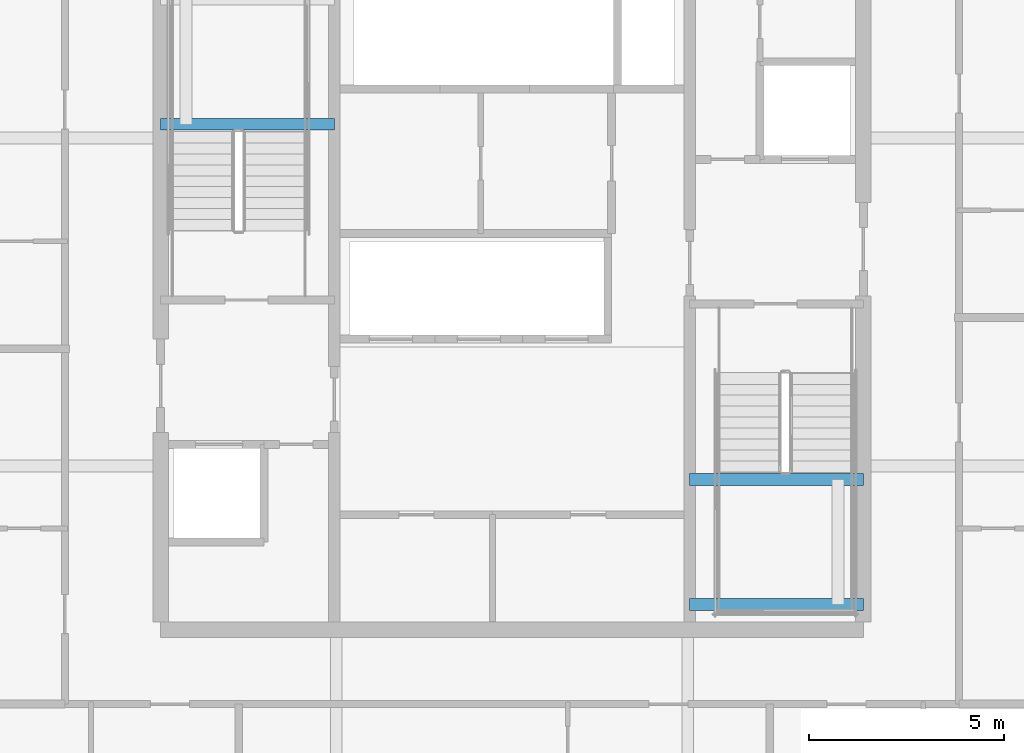
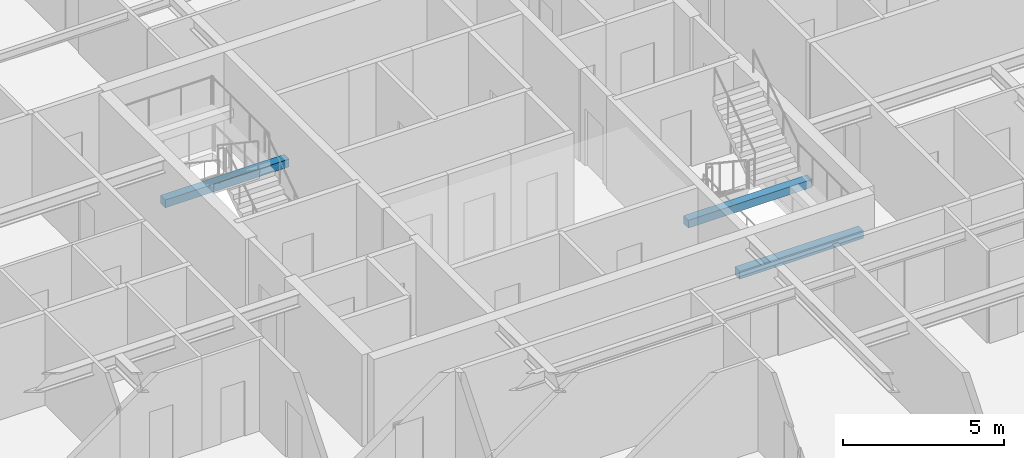
# One storey, part 10 of 36: 3 beams.
"""IFC4 building model written with IfcOpenShell, lengths in metres."""

import ifcopenshell
import ifcopenshell.guid

model = None  # the IFC model being written
_history = None  # IfcOwnerHistory: only IFC2X3 demands one
_inside = {}  # id of a spatial element -> (the spatial element, [elements in it])
_under = {}  # id of a project, library or spatial element -> (it, [spatial elements below it])
_declared = {}  # id of a project -> (the project, [libraries it declares])
_typed = {}  # id of a type object -> (the type object, [elements of that type])
_made_of = {}  # id of a material, layer set ... -> (it, [elements and type objects made of it])


def new_model(schema):
    """Start an empty IFC model of exactly this schema.

    Asked for "IFC4X3", IfcOpenShell would pick the latest addendum, in which some entities
    have other attributes; the version numbers below select the first issue.
    IFC2X3 requires an IfcOwnerHistory on every rooted entity: one is made here for all.
    """
    global model, _history
    if schema == "IFC4X3":
        model = ifcopenshell.file(schema_version=(4, 3, 0, 0))
    else:
        model = ifcopenshell.file(schema=schema)
    _inside.clear()
    _under.clear()
    _declared.clear()
    _typed.clear()
    _made_of.clear()
    _history = None
    if model.schema == "IFC2X3":
        org = make("IfcOrganization", Name="unknown")
        user = make(
            "IfcPersonAndOrganization",
            ThePerson=make("IfcPerson", FamilyName="unknown"),
            TheOrganization=org,
        )
        app = make(
            "IfcApplication",
            ApplicationDeveloper=org,
            Version="unknown",
            ApplicationFullName="unknown",
            ApplicationIdentifier="unknown",
        )
        _history = make(
            "IfcOwnerHistory",
            OwningUser=user,
            OwningApplication=app,
            ChangeAction="ADDED",
            CreationDate=0,
        )
    return model


def make(cls, **values):
    """One entity of the class cls with the attributes given. An attribute that is None is left unset."""
    return model.create_entity(
        cls, **{name: value for name, value in values.items() if value is not None}
    )


def rooted(cls, **values):
    """An entity with a GlobalId (a new one), such as an element, a storey or a relation."""
    return make(cls, GlobalId=ifcopenshell.guid.new(), OwnerHistory=_history, **values)


def si_unit(unit_type, name, prefix=None):
    """IfcSIUnit, for example si_unit("LENGTHUNIT", "METRE", prefix="MILLI")."""
    return make("IfcSIUnit", UnitType=unit_type, Prefix=prefix, Name=name)


def assignment(units):
    """IfcUnitAssignment: the units of a project."""
    return None if units is None else make("IfcUnitAssignment", Units=units)


def point(xyz):
    """IfcCartesianPoint."""
    return None if xyz is None else make("IfcCartesianPoint", Coordinates=xyz)


def direction(xyz):
    """IfcDirection."""
    return None if xyz is None else make("IfcDirection", DirectionRatios=xyz)


def frame(location, z_axis=None, x_axis=None):
    """IfcAxis2Placement3D, a coordinate frame: its origin and axes. An axis left out is left unset."""
    return make(
        "IfcAxis2Placement3D",
        Location=point(location),
        Axis=direction(z_axis),
        RefDirection=direction(x_axis),
    )


def frame_2d(location, x_axis=None):
    """IfcAxis2Placement2D, a coordinate frame in the plane: its origin and x axis."""
    return make(
        "IfcAxis2Placement2D", Location=point(location), RefDirection=direction(x_axis)
    )


def origin():
    """The frame at (0, 0, 0) with its axes left unset."""
    return frame((0.0, 0.0, 0.0))


def origin_2d():
    """The frame at (0, 0) in the plane with its x axis left unset."""
    return frame_2d((0.0, 0.0))


def place(relative_to, where):
    """IfcLocalPlacement: puts the frame where relative to a parent placement (None: the world)."""
    return make(
        "IfcLocalPlacement", PlacementRelTo=relative_to, RelativePlacement=where
    )


def context(
    kind, dimensions, precision=None, world=None, true_north=None, identifier=None
):
    """IfcGeometricRepresentationContext, for example the 3D "Model" context."""
    return make(
        "IfcGeometricRepresentationContext",
        ContextIdentifier=identifier,
        ContextType=kind,
        CoordinateSpaceDimension=dimensions,
        Precision=precision,
        WorldCoordinateSystem=world,
        TrueNorth=true_north,
    )


def subcontext(parent, identifier, kind, view, scale=None):
    """IfcGeometricRepresentationSubContext, for example "Body" below "Model"."""
    return make(
        "IfcGeometricRepresentationSubContext",
        ContextIdentifier=identifier,
        ContextType=kind,
        ParentContext=parent,
        TargetScale=scale,
        TargetView=view,
    )


def project(units=None, contexts=None):
    """IfcProject with its units and contexts."""
    return rooted(
        "IfcProject",
        Name="project",
        RepresentationContexts=contexts,
        UnitsInContext=assignment(units),
    )


def spatial(cls, under=None, at=None, **own):
    """A site, building, storey or space (cls), placed at a placement, below another one or the project."""
    s = rooted(cls, ObjectPlacement=at, **own)
    if under is not None:
        _under.setdefault(under.id(), (under, []))[1].append(s)
    return s


def profile(cls, at=None, kind="AREA", **sizes):
    """A parametric profile (cls). Its sizes go by their IFC names, for example OverallWidth=200.0."""
    return make(cls, ProfileType=kind, Position=at, **sizes)


def rectangle(**sizes):
    """IfcRectangleProfileDef."""
    return profile("IfcRectangleProfileDef", **sizes)


def extrude(swept, where, along, depth):
    """IfcExtrudedAreaSolid: the profile swept, set in the frame where, extruded along a direction by depth."""
    return make(
        "IfcExtrudedAreaSolid",
        SweptArea=swept,
        Position=where,
        ExtrudedDirection=direction(along),
        Depth=depth,
    )


def shape(context_of_items, identifier, shape_type, items):
    """IfcShapeRepresentation: the items that make up one representation, for example the "Body"."""
    return make(
        "IfcShapeRepresentation",
        ContextOfItems=context_of_items,
        RepresentationIdentifier=identifier,
        RepresentationType=shape_type,
        Items=items,
    )


def source(mapping_origin, context_of_items, identifier, shape_type, items):
    """IfcRepresentationMap: a shape defined once, which mapped items show again and again."""
    return make(
        "IfcRepresentationMap",
        MappingOrigin=mapping_origin,
        MappedRepresentation=shape(context_of_items, identifier, shape_type, items),
    )


def transform(
    local_origin,
    x_axis=None,
    y_axis=None,
    z_axis=None,
    scale=None,
    scale2=None,
    scale3=None,
    uniform=True,
):
    """IfcCartesianTransformationOperator3D, or its non-uniform kind. x_axis, y_axis, z_axis: its Axis1, 2, 3."""
    if uniform:
        return make(
            "IfcCartesianTransformationOperator3D",
            Axis1=direction(x_axis),
            Axis2=direction(y_axis),
            LocalOrigin=point(local_origin),
            Scale=scale,
            Axis3=direction(z_axis),
        )
    return make(
        "IfcCartesianTransformationOperator3DnonUniform",
        Axis1=direction(x_axis),
        Axis2=direction(y_axis),
        LocalOrigin=point(local_origin),
        Scale=scale,
        Axis3=direction(z_axis),
        Scale2=scale2,
        Scale3=scale3,
    )


def mapped(mapping_source, mapping_target):
    """IfcMappedItem: shows the shape of a source again, moved by a transform."""
    return make(
        "IfcMappedItem", MappingSource=mapping_source, MappingTarget=mapping_target
    )


def material(Name=None, Category=None):
    """IfcMaterial."""
    return make("IfcMaterial", Name=Name, Category=Category)


def material_profile(
    of_material, cross_section, Name=None, Category=None, Priority=None
):
    """IfcMaterialProfile: a cross section and its material."""
    return make(
        "IfcMaterialProfile",
        Name=Name,
        Material=of_material,
        Profile=cross_section,
        Priority=Priority,
        Category=Category,
    )


def profile_set(profiles, Name=None, composite=None):
    """IfcMaterialProfileSet."""
    return make(
        "IfcMaterialProfileSet",
        Name=Name,
        MaterialProfiles=profiles,
        CompositeProfile=composite,
    )


def made_of(thing, what):
    """Note that an element or type object is made of a material, layer set ...; save() writes the relation."""
    if what is not None:
        _made_of.setdefault(what.id(), (what, []))[1].append(thing)
    return thing


def type_object(cls, material=None, **own):
    """A type object (cls), such as IfcWallType, which elements share."""
    return made_of(rooted(cls, **own), material)


def element(
    cls,
    number,
    at=None,
    inside=None,
    cuts=None,
    type_object=None,
    material=None,
    context=None,
    identifier="Body",
    shape_type=None,
    held_by="IfcProductDefinitionShape",
    body=None,
    shapes=None,
    **own,
):
    """One element of the class cls, such as IfcWall. Its Tag is "e" and its number.

    at: its placement. inside: the storey or other place that contains it. cuts: it is an
    opening in that element (IfcRelVoidsElement). A single representation is given by context,
    identifier, shape_type and body (its items); several are given by shapes. held_by: the class
    of the entity that holds the representations. save() writes the other relations.
    """
    e = rooted(cls, Tag="e%d" % number, ObjectPlacement=at, **own)
    if body is not None:
        shapes = [shape(context, identifier, shape_type, body)]
    if shapes is not None:
        e.Representation = make(held_by, Representations=shapes)
    if inside is not None:
        _inside.setdefault(inside.id(), (inside, []))[1].append(e)
    if cuts is not None:
        rooted(
            "IfcRelVoidsElement", RelatingBuildingElement=cuts, RelatedOpeningElement=e
        )
    if type_object is not None:
        _typed.setdefault(type_object.id(), (type_object, []))[1].append(e)
    return made_of(e, material)


def aggregate(whole, parts):
    """IfcRelAggregates: a whole, such as a stair, and the parts it consists of."""
    return rooted("IfcRelAggregates", RelatingObject=whole, RelatedObjects=parts)


def save(model, path):
    """Write the relations noted so far, then the file.

    IfcRelAggregates (storeys below a building ...), IfcRelContainedInSpatialStructure (elements
    in a storey), IfcRelDefinesByType, IfcRelAssociatesMaterial and IfcRelDeclares: one each for
    every whole, place, type object, material and project.
    """
    for whole, parts in _under.values():
        aggregate(whole, parts)
    for where, things in _inside.values():
        rooted(
            "IfcRelContainedInSpatialStructure",
            RelatedElements=things,
            RelatingStructure=where,
        )
    for kind, things in _typed.values():
        rooted("IfcRelDefinesByType", RelatedObjects=things, RelatingType=kind)
    for what, things in _made_of.values():
        rooted("IfcRelAssociatesMaterial", RelatedObjects=things, RelatingMaterial=what)
    for by, libraries in _declared.values():
        rooted("IfcRelDeclares", RelatingContext=by, RelatedDefinitions=libraries)
    model.write(path)


model = new_model("IFC4")

# Units and contexts
model_context = context("Model", 3, precision=1e-05, world=origin(), true_north=direction((0.0, 1.0)))
body_context = subcontext(model_context, "Body", "Model", "MODEL_VIEW")
ifc_project = project(units=[si_unit("LENGTHUNIT", "METRE"), si_unit("AREAUNIT", "SQUARE_METRE"), si_unit("VOLUMEUNIT", "CUBIC_METRE"), si_unit("PLANEANGLEUNIT", "RADIAN"), si_unit("MASSUNIT", "GRAM", prefix="KILO")], contexts=[model_context])

# Site, building, storey
site_placement = place(None, origin())
site = spatial("IfcSite", under=ifc_project, at=site_placement, CompositionType="ELEMENT")
building_placement = place(site_placement, origin())
building = spatial("IfcBuilding", under=site, at=building_placement, Name="Serunith Strait Residences", CompositionType="ELEMENT")
storey_placement = place(building_placement, frame((0.0, 0.0, 131.39990234375)))
storey = spatial("IfcBuildingStorey", under=building, at=storey_placement, Name="L32", CompositionType="ELEMENT", Elevation=131.39990234375)

# Beams
ifc_material = material(Name="Concrete C60/75", Category="concrete")
ifc_material_profile = material_profile(ifc_material, rectangle(XDim=0.300048828125, YDim=0.300048828125, at=origin_2d()), Name="RC 300x300")
ifc_profile_set = profile_set([ifc_material_profile], Name="Concrete C60/75")
beam_type = type_object("IfcBeamType", Name="BM-LAND-300x300", PredefinedType="BEAM", material=ifc_profile_set)
shared_shape_1 = source(origin(), body_context, "Body", "SweptSolid", [
    extrude(rectangle(XDim=0.300048828125, YDim=0.300048828125, at=origin_2d()), origin(), (0.0, 0.0, 1.0), 4.4501953125),
])
beam_placement = place(storey_placement, frame((23.39990234375, 29.75, 1.525146484375), z_axis=(1.0, 0.0, 0.0), x_axis=(0.0, 1.0, 0.0)))
element("IfcBeam", 1, at=beam_placement, inside=storey, type_object=beam_type, Name="L32 ST-1 Landing Support Beam 1", PredefinedType="BEAM", context=body_context, shape_type="MappedRepresentation", body=[
    mapped(shared_shape_1, transform((0.0, 0.0, 0.0), scale=1.0)),
])
shared_shape_2 = source(origin(), body_context, "Body", "SweptSolid", [
    extrude(rectangle(XDim=0.300048828125, YDim=0.300048828125, at=origin_2d()), origin(), (0.0, 0.0, 1.0), 4.449951171875),
])
for number, where, z_axis, x_axis, name in (
    (2, (36.949951171875, 17.449951171875, 1.525146484375), (1.0, 0.0, 0.0), (0.0, 1.0, 0.0), "L32 ST-2 Landing Support Beam 1"),
    (3, (36.949951171875, 20.64990234375, 1.525146484375), (1.0, 0.0, 0.0), (0.0, 1.0, 0.0), "L32 ST-2 Landing Support Beam 2"),
):
    element("IfcBeam", number, at=place(storey_placement, frame(where, z_axis=z_axis, x_axis=x_axis)), inside=storey, type_object=beam_type, Name=name, PredefinedType="BEAM", context=body_context, shape_type="MappedRepresentation", body=[
        mapped(shared_shape_2, transform((0.0, 0.0, 0.0), scale=1.0)),
    ])

save(model, "model.ifc")
